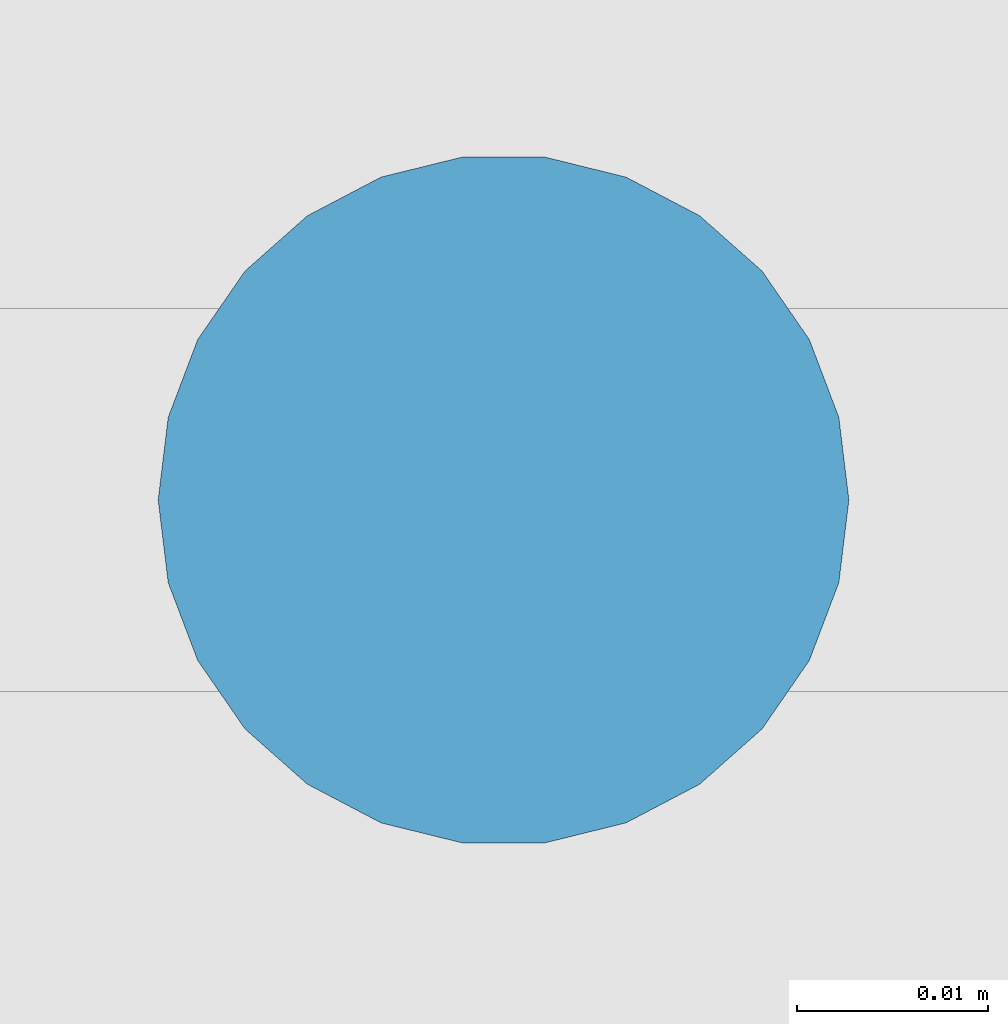
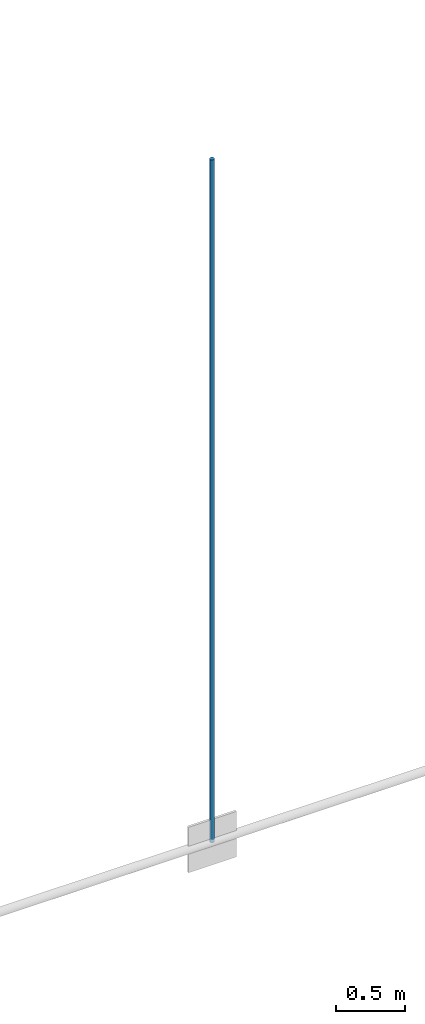
# One storey, part 160 of 321: 1 member.
"""IFC4 building model written with IfcOpenShell, lengths in metres."""

from ifc_helpers import new_model, si_unit, direction, frame, origin, origin_2d, place, context, subcontext, project, spatial, circle, extrude, material, material_profile, profile_set, type_object, element, save


model = new_model("IFC4")

# Units and contexts
model_context = context("Model", 3, precision=1e-05, world=origin(), true_north=direction((0.0, 1.0)))
body_context = subcontext(model_context, "Body", "Model", "MODEL_VIEW")
ifc_project = project(units=[si_unit("LENGTHUNIT", "METRE"), si_unit("AREAUNIT", "SQUARE_METRE"), si_unit("VOLUMEUNIT", "CUBIC_METRE"), si_unit("PLANEANGLEUNIT", "RADIAN"), si_unit("MASSUNIT", "GRAM", prefix="KILO")], contexts=[model_context])

# Site, building, storey
site_placement = place(None, origin())
site = spatial("IfcSite", under=ifc_project, at=site_placement, CompositionType="ELEMENT")
building_placement = place(site_placement, origin())
building = spatial("IfcBuilding", under=site, at=building_placement, Name="Ravi Spectrum Wholesale Market", CompositionType="ELEMENT")
storey_placement = place(building_placement, frame((0.0, 0.0, 10.800048828125)))
storey = spatial("IfcBuildingStorey", under=building, at=storey_placement, Name="L02", CompositionType="ELEMENT", Elevation=10.800048828125)

# Member
ifc_material = material(Name="Steel S355", Category="steel")
ifc_material_profile = material_profile(ifc_material, circle(Radius=0.01806640625, at=origin_2d()))
ifc_profile_set = profile_set([ifc_material_profile], Name="Steel S355")
member_type = type_object("IfcMemberType", Name="ROD 36 hanger", PredefinedType="STRUT", material=ifc_profile_set)
member_placement = place(storey_placement, frame((70.0, 162.0, 0.023193359375), z_axis=(0.0, 0.0, 1.0), x_axis=(1.0, 0.0, 0.0)))
element("IfcMember", 1, at=member_placement, inside=storey, type_object=member_type, Name="H1-MB-L02-970", PredefinedType="STRUT", context=body_context, shape_type="SweptSolid", body=[
    extrude(circle(Radius=0.01806640625, at=origin_2d()), origin(), (0.0, 0.0, 1.0), 6.002197265625),
])

save(model, "model.ifc")
